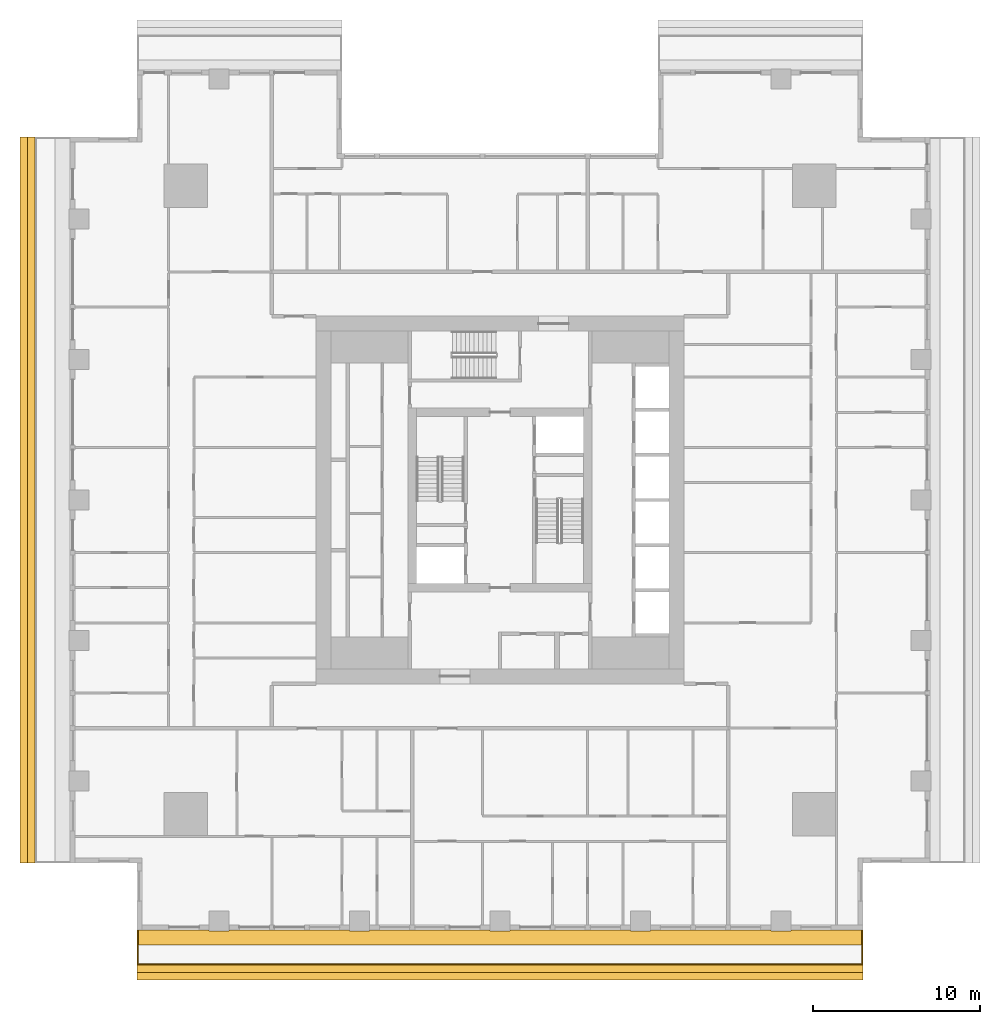
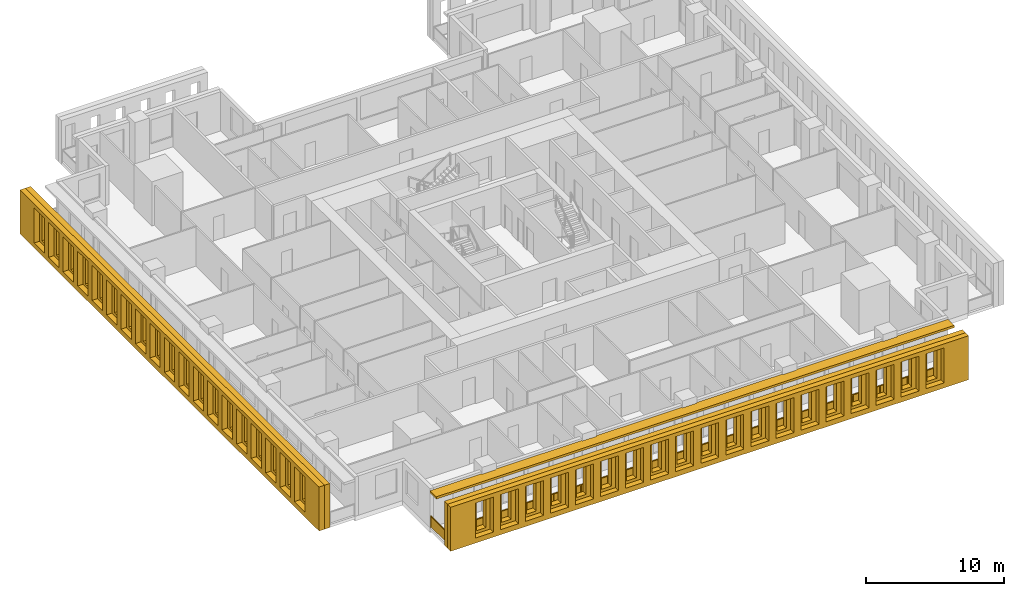
# One storey, part 10 of 15: 5 shading devices, 1 railing.
"""IFC4 building model written with IfcOpenShell, lengths in metres."""

from ifc_helpers import new_model, si_unit, direction, frame, origin, origin_2d, place, context, subcontext, project, spatial, polyline, rectangle, outline, extrude, material, layer, layer_set, type_object, element, save


model = new_model("IFC4")

# Units and contexts
model_context = context("Model", 3, precision=1e-05, world=origin(), true_north=direction((0.0, 1.0)))
body_context = subcontext(model_context, "Body", "Model", "MODEL_VIEW")
ifc_project = project(units=[si_unit("LENGTHUNIT", "METRE"), si_unit("AREAUNIT", "SQUARE_METRE"), si_unit("VOLUMEUNIT", "CUBIC_METRE"), si_unit("PLANEANGLEUNIT", "RADIAN"), si_unit("MASSUNIT", "GRAM", prefix="KILO")], contexts=[model_context])

# Site, building, storey
site_placement = place(None, origin())
site = spatial("IfcSite", under=ifc_project, at=site_placement, CompositionType="ELEMENT")
building_placement = place(site_placement, origin())
building = spatial("IfcBuilding", under=site, at=building_placement, Name="Khepri Terraces", CompositionType="ELEMENT")
storey_placement = place(building_placement, frame((0.0, 0.0, 161.10009765625)))
storey = spatial("IfcBuildingStorey", under=building, at=storey_placement, Name="L38", CompositionType="ELEMENT", Elevation=161.10009765625)

# Railing
ifc_material_1 = material(Name="Stainless steel grade 316", Category="steel")
railing_type = type_object("IfcRailingType", Name="GRD-BAL-1100", PredefinedType="GUARDRAIL", material=ifc_material_1)
railing_placement = place(storey_placement, frame((-21.669921875, -25.719970703125, 0.0)))
element("IfcRailing", 1, at=railing_placement, inside=storey, type_object=railing_type, Name="Balcony guard L38 S", PredefinedType="GUARDRAIL", context=body_context, shape_type="SweptSolid", body=[
    extrude(rectangle(XDim=0.050048828125, YDim=0.06005859375, at=origin_2d()), frame((0.0, 0.0, 1.070068359375), z_axis=(0.0, -1.0, 0.0), x_axis=(1.0, 0.0, 0.0)), (0.0, 0.0, 1.0), 2.050048828125),
    extrude(rectangle(XDim=2.0, YDim=0.011962890625, at=origin_2d()), frame((0.0, -1.02490234375, 0.10009765625), z_axis=(0.0, 0.0, 1.0), x_axis=(0.0, -1.0, 0.0)), (0.0, 0.0, 1.0), 0.93994140625),
    extrude(rectangle(XDim=0.050048828125, YDim=0.06005859375, at=origin_2d()), frame((0.0, -2.050048828125, 1.070068359375), z_axis=(1.0, 0.0, 0.0), x_axis=(0.0, 1.0, 0.0)), (0.0, 0.0, 1.0), 43.33984375),
    extrude(rectangle(XDim=2.23095703125, YDim=0.011962890625, at=origin_2d()), frame((1.140625, -2.050048828125, 0.10009765625), z_axis=(0.0, 0.0, 1.0), x_axis=(1.0, 0.0, 0.0)), (0.0, 0.0, 1.0), 0.93994140625),
    extrude(rectangle(XDim=2.23095703125, YDim=0.011962890625, at=origin_2d()), frame((3.421630859375, -2.050048828125, 0.10009765625), z_axis=(0.0, 0.0, 1.0), x_axis=(1.0, 0.0, 0.0)), (0.0, 0.0, 1.0), 0.93994140625),
    extrude(rectangle(XDim=2.23095703125, YDim=0.011962890625, at=origin_2d()), frame((5.70263671875, -2.050048828125, 0.10009765625), z_axis=(0.0, 0.0, 1.0), x_axis=(1.0, 0.0, 0.0)), (0.0, 0.0, 1.0), 0.93994140625),
    extrude(rectangle(XDim=2.23095703125, YDim=0.011962890625, at=origin_2d()), frame((7.983642578125, -2.050048828125, 0.10009765625), z_axis=(0.0, 0.0, 1.0), x_axis=(1.0, 0.0, 0.0)), (0.0, 0.0, 1.0), 0.93994140625),
    extrude(rectangle(XDim=2.23095703125, YDim=0.011962890625, at=origin_2d()), frame((10.2646484375, -2.050048828125, 0.10009765625), z_axis=(0.0, 0.0, 1.0), x_axis=(1.0, 0.0, 0.0)), (0.0, 0.0, 1.0), 0.93994140625),
    extrude(rectangle(XDim=2.23095703125, YDim=0.011962890625, at=origin_2d()), frame((12.545654296875, -2.050048828125, 0.10009765625), z_axis=(0.0, 0.0, 1.0), x_axis=(1.0, 0.0, 0.0)), (0.0, 0.0, 1.0), 0.93994140625),
    extrude(rectangle(XDim=2.23095703125, YDim=0.011962890625, at=origin_2d()), frame((14.826904296875, -2.050048828125, 0.10009765625), z_axis=(0.0, 0.0, 1.0), x_axis=(1.0, 0.0, 0.0)), (0.0, 0.0, 1.0), 0.93994140625),
    extrude(rectangle(XDim=2.23095703125, YDim=0.011962890625, at=origin_2d()), frame((17.10791015625, -2.050048828125, 0.10009765625), z_axis=(0.0, 0.0, 1.0), x_axis=(1.0, 0.0, 0.0)), (0.0, 0.0, 1.0), 0.93994140625),
    extrude(rectangle(XDim=2.23095703125, YDim=0.011962890625, at=origin_2d()), frame((19.388916015625, -2.050048828125, 0.10009765625), z_axis=(0.0, 0.0, 1.0), x_axis=(1.0, 0.0, 0.0)), (0.0, 0.0, 1.0), 0.93994140625),
    extrude(rectangle(XDim=2.23095703125, YDim=0.011962890625, at=origin_2d()), frame((21.669921875, -2.050048828125, 0.10009765625), z_axis=(0.0, 0.0, 1.0), x_axis=(1.0, 0.0, 0.0)), (0.0, 0.0, 1.0), 0.93994140625),
    extrude(rectangle(XDim=2.23095703125, YDim=0.011962890625, at=origin_2d()), frame((23.950927734375, -2.050048828125, 0.10009765625), z_axis=(0.0, 0.0, 1.0), x_axis=(1.0, 0.0, 0.0)), (0.0, 0.0, 1.0), 0.93994140625),
    extrude(rectangle(XDim=2.23095703125, YDim=0.011962890625, at=origin_2d()), frame((26.23193359375, -2.050048828125, 0.10009765625), z_axis=(0.0, 0.0, 1.0), x_axis=(1.0, 0.0, 0.0)), (0.0, 0.0, 1.0), 0.93994140625),
    extrude(rectangle(XDim=2.23095703125, YDim=0.011962890625, at=origin_2d()), frame((28.512939453125, -2.050048828125, 0.10009765625), z_axis=(0.0, 0.0, 1.0), x_axis=(1.0, 0.0, 0.0)), (0.0, 0.0, 1.0), 0.93994140625),
    extrude(rectangle(XDim=2.23095703125, YDim=0.011962890625, at=origin_2d()), frame((30.794189453125, -2.050048828125, 0.10009765625), z_axis=(0.0, 0.0, 1.0), x_axis=(1.0, 0.0, 0.0)), (0.0, 0.0, 1.0), 0.93994140625),
    extrude(rectangle(XDim=2.23095703125, YDim=0.011962890625, at=origin_2d()), frame((33.0751953125, -2.050048828125, 0.10009765625), z_axis=(0.0, 0.0, 1.0), x_axis=(1.0, 0.0, 0.0)), (0.0, 0.0, 1.0), 0.93994140625),
    extrude(rectangle(XDim=2.23095703125, YDim=0.011962890625, at=origin_2d()), frame((35.356201171875, -2.050048828125, 0.10009765625), z_axis=(0.0, 0.0, 1.0), x_axis=(1.0, 0.0, 0.0)), (0.0, 0.0, 1.0), 0.93994140625),
    extrude(rectangle(XDim=2.23095703125, YDim=0.011962890625, at=origin_2d()), frame((37.63720703125, -2.050048828125, 0.10009765625), z_axis=(0.0, 0.0, 1.0), x_axis=(1.0, 0.0, 0.0)), (0.0, 0.0, 1.0), 0.93994140625),
    extrude(rectangle(XDim=2.23095703125, YDim=0.011962890625, at=origin_2d()), frame((39.918212890625, -2.050048828125, 0.10009765625), z_axis=(0.0, 0.0, 1.0), x_axis=(1.0, 0.0, 0.0)), (0.0, 0.0, 1.0), 0.93994140625),
    extrude(rectangle(XDim=2.23095703125, YDim=0.011962890625, at=origin_2d()), frame((42.19921875, -2.050048828125, 0.10009765625), z_axis=(0.0, 0.0, 1.0), x_axis=(1.0, 0.0, 0.0)), (0.0, 0.0, 1.0), 0.93994140625),
    extrude(rectangle(XDim=0.050048828125, YDim=0.06005859375, at=origin_2d()), frame((43.33984375, -2.050048828125, 1.070068359375), z_axis=(0.0, 1.0, 0.0), x_axis=(-1.0, 0.0, 0.0)), (0.0, 0.0, 1.0), 2.050048828125),
    extrude(rectangle(XDim=2.0, YDim=0.011962890625, at=origin_2d()), frame((43.33984375, -1.02490234375, 0.10009765625), z_axis=(0.0, 0.0, 1.0), x_axis=(0.0, 1.0, 0.0)), (0.0, 0.0, 1.0), 0.93994140625),
    extrude(rectangle(XDim=0.050048828125, YDim=0.050048828125, at=origin_2d()), origin(), (0.0, 0.0, 1.0), 1.0400390625),
    extrude(rectangle(XDim=0.050048828125, YDim=0.050048828125, at=origin_2d()), frame((0.0, -2.050048828125, 0.0)), (0.0, 0.0, 1.0), 1.0400390625),
    extrude(rectangle(XDim=0.050048828125, YDim=0.050048828125, at=origin_2d()), frame((2.281005859375, -2.050048828125, 0.0)), (0.0, 0.0, 1.0), 1.0400390625),
    extrude(rectangle(XDim=0.050048828125, YDim=0.050048828125, at=origin_2d()), frame((4.56201171875, -2.050048828125, 0.0)), (0.0, 0.0, 1.0), 1.0400390625),
    extrude(rectangle(XDim=0.050048828125, YDim=0.050048828125, at=origin_2d()), frame((6.843017578125, -2.050048828125, 0.0)), (0.0, 0.0, 1.0), 1.0400390625),
    extrude(rectangle(XDim=0.050048828125, YDim=0.050048828125, at=origin_2d()), frame((9.124267578125, -2.050048828125, 0.0)), (0.0, 0.0, 1.0), 1.0400390625),
    extrude(rectangle(XDim=0.050048828125, YDim=0.050048828125, at=origin_2d()), frame((11.4052734375, -2.050048828125, 0.0)), (0.0, 0.0, 1.0), 1.0400390625),
    extrude(rectangle(XDim=0.050048828125, YDim=0.050048828125, at=origin_2d()), frame((13.686279296875, -2.050048828125, 0.0)), (0.0, 0.0, 1.0), 1.0400390625),
    extrude(rectangle(XDim=0.050048828125, YDim=0.050048828125, at=origin_2d()), frame((15.96728515625, -2.050048828125, 0.0)), (0.0, 0.0, 1.0), 1.0400390625),
    extrude(rectangle(XDim=0.050048828125, YDim=0.050048828125, at=origin_2d()), frame((18.248291015625, -2.050048828125, 0.0)), (0.0, 0.0, 1.0), 1.0400390625),
    extrude(rectangle(XDim=0.050048828125, YDim=0.050048828125, at=origin_2d()), frame((20.529296875, -2.050048828125, 0.0)), (0.0, 0.0, 1.0), 1.0400390625),
    extrude(rectangle(XDim=0.050048828125, YDim=0.050048828125, at=origin_2d()), frame((22.810546875, -2.050048828125, 0.0)), (0.0, 0.0, 1.0), 1.0400390625),
    extrude(rectangle(XDim=0.050048828125, YDim=0.050048828125, at=origin_2d()), frame((25.091552734375, -2.050048828125, 0.0)), (0.0, 0.0, 1.0), 1.0400390625),
    extrude(rectangle(XDim=0.050048828125, YDim=0.050048828125, at=origin_2d()), frame((27.37255859375, -2.050048828125, 0.0)), (0.0, 0.0, 1.0), 1.0400390625),
    extrude(rectangle(XDim=0.050048828125, YDim=0.050048828125, at=origin_2d()), frame((29.653564453125, -2.050048828125, 0.0)), (0.0, 0.0, 1.0), 1.0400390625),
    extrude(rectangle(XDim=0.050048828125, YDim=0.050048828125, at=origin_2d()), frame((31.9345703125, -2.050048828125, 0.0)), (0.0, 0.0, 1.0), 1.0400390625),
    extrude(rectangle(XDim=0.050048828125, YDim=0.050048828125, at=origin_2d()), frame((34.215576171875, -2.050048828125, 0.0)), (0.0, 0.0, 1.0), 1.0400390625),
    extrude(rectangle(XDim=0.050048828125, YDim=0.050048828125, at=origin_2d()), frame((36.496826171875, -2.050048828125, 0.0)), (0.0, 0.0, 1.0), 1.0400390625),
    extrude(rectangle(XDim=0.050048828125, YDim=0.050048828125, at=origin_2d()), frame((38.77783203125, -2.050048828125, 0.0)), (0.0, 0.0, 1.0), 1.0400390625),
    extrude(rectangle(XDim=0.050048828125, YDim=0.050048828125, at=origin_2d()), frame((41.058837890625, -2.050048828125, 0.0)), (0.0, 0.0, 1.0), 1.0400390625),
    extrude(rectangle(XDim=0.050048828125, YDim=0.050048828125, at=origin_2d()), frame((43.33984375, -2.050048828125, 0.0)), (0.0, 0.0, 1.0), 1.0400390625),
    extrude(rectangle(XDim=0.050048828125, YDim=0.050048828125, at=origin_2d()), frame((43.33984375, 0.0, 0.0)), (0.0, 0.0, 1.0), 1.0400390625),
])

# Shading devices
ifc_material_2 = material(Name="Precast concrete C50/60 warm stone", Category="masonry")
shading_device_type_1 = type_object("IfcShadingDeviceType", Name="SCR-CELL-INNER-450", PredefinedType="USERDEFINED", material=ifc_material_2)
shading_device_1_placement = place(storey_placement, frame((-21.719970703125, -27.820068359375, -0.25), z_axis=(0.0, -1.0, 0.0), x_axis=(1.0, 0.0, 0.0)))
element("IfcShadingDevice", 2, at=shading_device_1_placement, inside=storey, type_object=shading_device_type_1, Name="Cell screen L38 S in", ObjectType="SCREEN", PredefinedType="USERDEFINED", context=body_context, shape_type="SweptSolid", body=[
    extrude(outline(polyline([(0.0, 0.0), (43.43994140625, 0.0), (43.43994140625, 3.89990234375), (0.0, 3.89990234375), (0.0, 0.0)]), holes=[polyline([(0.318359375, 0.699951171875), (1.12158203125, 0.699951171875), (1.12158203125, 3.300048828125), (0.318359375, 3.300048828125), (0.318359375, 0.699951171875)]), polyline([(2.41845703125, 0.699951171875), (3.2216796875, 0.699951171875), (3.2216796875, 3.300048828125), (2.41845703125, 3.300048828125), (2.41845703125, 0.699951171875)]), polyline([(4.518310546875, 0.699951171875), (5.321533203125, 0.699951171875), (5.321533203125, 3.300048828125), (4.518310546875, 3.300048828125), (4.518310546875, 0.699951171875)]), polyline([(6.618408203125, 0.699951171875), (7.421630859375, 0.699951171875), (7.421630859375, 3.300048828125), (6.618408203125, 3.300048828125), (6.618408203125, 0.699951171875)]), polyline([(8.718505859375, 0.699951171875), (9.521484375, 0.699951171875), (9.521484375, 3.300048828125), (8.718505859375, 3.300048828125), (8.718505859375, 0.699951171875)]), polyline([(10.818359375, 0.699951171875), (11.62158203125, 0.699951171875), (11.62158203125, 3.300048828125), (10.818359375, 3.300048828125), (10.818359375, 0.699951171875)]), polyline([(12.91845703125, 0.699951171875), (13.7216796875, 0.699951171875), (13.7216796875, 3.300048828125), (12.91845703125, 3.300048828125), (12.91845703125, 0.699951171875)]), polyline([(15.018310546875, 0.699951171875), (15.821533203125, 0.699951171875), (15.821533203125, 3.300048828125), (15.018310546875, 3.300048828125), (15.018310546875, 0.699951171875)]), polyline([(17.118408203125, 0.699951171875), (17.921630859375, 0.699951171875), (17.921630859375, 3.300048828125), (17.118408203125, 3.300048828125), (17.118408203125, 0.699951171875)]), polyline([(19.218505859375, 0.699951171875), (20.021484375, 0.699951171875), (20.021484375, 3.300048828125), (19.218505859375, 3.300048828125), (19.218505859375, 0.699951171875)]), polyline([(21.318359375, 0.699951171875), (22.12158203125, 0.699951171875), (22.12158203125, 3.300048828125), (21.318359375, 3.300048828125), (21.318359375, 0.699951171875)]), polyline([(23.41845703125, 0.699951171875), (24.2216796875, 0.699951171875), (24.2216796875, 3.300048828125), (23.41845703125, 3.300048828125), (23.41845703125, 0.699951171875)]), polyline([(25.518310546875, 0.699951171875), (26.321533203125, 0.699951171875), (26.321533203125, 3.300048828125), (25.518310546875, 3.300048828125), (25.518310546875, 0.699951171875)]), polyline([(27.618408203125, 0.699951171875), (28.421630859375, 0.699951171875), (28.421630859375, 3.300048828125), (27.618408203125, 3.300048828125), (27.618408203125, 0.699951171875)]), polyline([(29.718505859375, 0.699951171875), (30.521484375, 0.699951171875), (30.521484375, 3.300048828125), (29.718505859375, 3.300048828125), (29.718505859375, 0.699951171875)]), polyline([(31.818359375, 0.699951171875), (32.62158203125, 0.699951171875), (32.62158203125, 3.300048828125), (31.818359375, 3.300048828125), (31.818359375, 0.699951171875)]), polyline([(33.91845703125, 0.699951171875), (34.7216796875, 0.699951171875), (34.7216796875, 3.300048828125), (33.91845703125, 3.300048828125), (33.91845703125, 0.699951171875)]), polyline([(36.018310546875, 0.699951171875), (36.821533203125, 0.699951171875), (36.821533203125, 3.300048828125), (36.018310546875, 3.300048828125), (36.018310546875, 0.699951171875)]), polyline([(38.118408203125, 0.699951171875), (38.921630859375, 0.699951171875), (38.921630859375, 3.300048828125), (38.118408203125, 3.300048828125), (38.118408203125, 0.699951171875)]), polyline([(40.218505859375, 0.699951171875), (41.021484375, 0.699951171875), (41.021484375, 3.300048828125), (40.218505859375, 3.300048828125), (40.218505859375, 0.699951171875)]), polyline([(42.318359375, 0.699951171875), (43.12158203125, 0.699951171875), (43.12158203125, 3.300048828125), (42.318359375, 3.300048828125), (42.318359375, 0.699951171875)])]), origin(), (0.0, 0.0, 1.0), 0.449951171875),
])
shading_device_2_placement = place(storey_placement, frame((-27.820068359375, 21.719970703125, -0.25), z_axis=(-1.0, 0.0, 0.0), x_axis=(0.0, -1.0, 0.0)))
element("IfcShadingDevice", 3, at=shading_device_2_placement, inside=storey, type_object=shading_device_type_1, Name="Cell screen L38 W in", ObjectType="SCREEN", PredefinedType="USERDEFINED", context=body_context, shape_type="SweptSolid", body=[
    extrude(outline(polyline([(0.0, 0.0), (43.43994140625, 0.0), (43.43994140625, 3.89990234375), (0.0, 3.89990234375), (0.0, 0.0)]), holes=[polyline([(0.318359375, 0.699951171875), (1.12158203125, 0.699951171875), (1.12158203125, 3.300048828125), (0.318359375, 3.300048828125), (0.318359375, 0.699951171875)]), polyline([(2.41845703125, 0.699951171875), (3.2216796875, 0.699951171875), (3.2216796875, 3.300048828125), (2.41845703125, 3.300048828125), (2.41845703125, 0.699951171875)]), polyline([(4.518310546875, 0.699951171875), (5.321533203125, 0.699951171875), (5.321533203125, 3.300048828125), (4.518310546875, 3.300048828125), (4.518310546875, 0.699951171875)]), polyline([(6.618408203125, 0.699951171875), (7.421630859375, 0.699951171875), (7.421630859375, 3.300048828125), (6.618408203125, 3.300048828125), (6.618408203125, 0.699951171875)]), polyline([(8.718505859375, 0.699951171875), (9.521484375, 0.699951171875), (9.521484375, 3.300048828125), (8.718505859375, 3.300048828125), (8.718505859375, 0.699951171875)]), polyline([(10.818359375, 0.699951171875), (11.62158203125, 0.699951171875), (11.62158203125, 3.300048828125), (10.818359375, 3.300048828125), (10.818359375, 0.699951171875)]), polyline([(12.91845703125, 0.699951171875), (13.7216796875, 0.699951171875), (13.7216796875, 3.300048828125), (12.91845703125, 3.300048828125), (12.91845703125, 0.699951171875)]), polyline([(15.018310546875, 0.699951171875), (15.821533203125, 0.699951171875), (15.821533203125, 3.300048828125), (15.018310546875, 3.300048828125), (15.018310546875, 0.699951171875)]), polyline([(17.118408203125, 0.699951171875), (17.921630859375, 0.699951171875), (17.921630859375, 3.300048828125), (17.118408203125, 3.300048828125), (17.118408203125, 0.699951171875)]), polyline([(19.218505859375, 0.699951171875), (20.021484375, 0.699951171875), (20.021484375, 3.300048828125), (19.218505859375, 3.300048828125), (19.218505859375, 0.699951171875)]), polyline([(21.318359375, 0.699951171875), (22.12158203125, 0.699951171875), (22.12158203125, 3.300048828125), (21.318359375, 3.300048828125), (21.318359375, 0.699951171875)]), polyline([(23.41845703125, 0.699951171875), (24.2216796875, 0.699951171875), (24.2216796875, 3.300048828125), (23.41845703125, 3.300048828125), (23.41845703125, 0.699951171875)]), polyline([(25.518310546875, 0.699951171875), (26.321533203125, 0.699951171875), (26.321533203125, 3.300048828125), (25.518310546875, 3.300048828125), (25.518310546875, 0.699951171875)]), polyline([(27.618408203125, 0.699951171875), (28.421630859375, 0.699951171875), (28.421630859375, 3.300048828125), (27.618408203125, 3.300048828125), (27.618408203125, 0.699951171875)]), polyline([(29.718505859375, 0.699951171875), (30.521484375, 0.699951171875), (30.521484375, 3.300048828125), (29.718505859375, 3.300048828125), (29.718505859375, 0.699951171875)]), polyline([(31.818359375, 0.699951171875), (32.62158203125, 0.699951171875), (32.62158203125, 3.300048828125), (31.818359375, 3.300048828125), (31.818359375, 0.699951171875)]), polyline([(33.91845703125, 0.699951171875), (34.7216796875, 0.699951171875), (34.7216796875, 3.300048828125), (33.91845703125, 3.300048828125), (33.91845703125, 0.699951171875)]), polyline([(36.018310546875, 0.699951171875), (36.821533203125, 0.699951171875), (36.821533203125, 3.300048828125), (36.018310546875, 3.300048828125), (36.018310546875, 0.699951171875)]), polyline([(38.118408203125, 0.699951171875), (38.921630859375, 0.699951171875), (38.921630859375, 3.300048828125), (38.118408203125, 3.300048828125), (38.118408203125, 0.699951171875)]), polyline([(40.218505859375, 0.699951171875), (41.021484375, 0.699951171875), (41.021484375, 3.300048828125), (40.218505859375, 3.300048828125), (40.218505859375, 0.699951171875)]), polyline([(42.318359375, 0.699951171875), (43.12158203125, 0.699951171875), (43.12158203125, 3.300048828125), (42.318359375, 3.300048828125), (42.318359375, 0.699951171875)])]), origin(), (0.0, 0.0, 1.0), 0.449951171875),
])
shading_device_type_2 = type_object("IfcShadingDeviceType", Name="SCR-CELL-OUTER-450", PredefinedType="USERDEFINED", material=ifc_material_2)
shading_device_3_placement = place(storey_placement, frame((-21.719970703125, -28.27001953125, -0.25), z_axis=(0.0, -1.0, 0.0), x_axis=(1.0, 0.0, 0.0)))
element("IfcShadingDevice", 4, at=shading_device_3_placement, inside=storey, type_object=shading_device_type_2, Name="Cell screen L38 S out", ObjectType="SCREEN", PredefinedType="USERDEFINED", context=body_context, shape_type="SweptSolid", body=[
    extrude(outline(polyline([(0.0, 0.0), (43.43994140625, 0.0), (43.43994140625, 3.89990234375), (0.0, 3.89990234375), (0.0, 0.0)]), holes=[polyline([(2.068359375, 0.449951171875), (3.571533203125, 0.449951171875), (3.571533203125, 3.550048828125), (2.068359375, 3.550048828125), (2.068359375, 0.449951171875)]), polyline([(4.16845703125, 0.449951171875), (5.671630859375, 0.449951171875), (5.671630859375, 3.550048828125), (4.16845703125, 3.550048828125), (4.16845703125, 0.449951171875)]), polyline([(6.268310546875, 0.449951171875), (7.771484375, 0.449951171875), (7.771484375, 3.550048828125), (6.268310546875, 3.550048828125), (6.268310546875, 0.449951171875)]), polyline([(8.368408203125, 0.449951171875), (9.87158203125, 0.449951171875), (9.87158203125, 3.550048828125), (8.368408203125, 3.550048828125), (8.368408203125, 0.449951171875)]), polyline([(10.468505859375, 0.449951171875), (11.9716796875, 0.449951171875), (11.9716796875, 3.550048828125), (10.468505859375, 3.550048828125), (10.468505859375, 0.449951171875)]), polyline([(12.568359375, 0.449951171875), (14.071533203125, 0.449951171875), (14.071533203125, 3.550048828125), (12.568359375, 3.550048828125), (12.568359375, 0.449951171875)]), polyline([(14.66845703125, 0.449951171875), (16.171630859375, 0.449951171875), (16.171630859375, 3.550048828125), (14.66845703125, 3.550048828125), (14.66845703125, 0.449951171875)]), polyline([(16.768310546875, 0.449951171875), (18.271484375, 0.449951171875), (18.271484375, 3.550048828125), (16.768310546875, 3.550048828125), (16.768310546875, 0.449951171875)]), polyline([(18.868408203125, 0.449951171875), (20.37158203125, 0.449951171875), (20.37158203125, 3.550048828125), (18.868408203125, 3.550048828125), (18.868408203125, 0.449951171875)]), polyline([(20.968505859375, 0.449951171875), (22.4716796875, 0.449951171875), (22.4716796875, 3.550048828125), (20.968505859375, 3.550048828125), (20.968505859375, 0.449951171875)]), polyline([(23.068359375, 0.449951171875), (24.571533203125, 0.449951171875), (24.571533203125, 3.550048828125), (23.068359375, 3.550048828125), (23.068359375, 0.449951171875)]), polyline([(25.16845703125, 0.449951171875), (26.671630859375, 0.449951171875), (26.671630859375, 3.550048828125), (25.16845703125, 3.550048828125), (25.16845703125, 0.449951171875)]), polyline([(27.268310546875, 0.449951171875), (28.771484375, 0.449951171875), (28.771484375, 3.550048828125), (27.268310546875, 3.550048828125), (27.268310546875, 0.449951171875)]), polyline([(29.368408203125, 0.449951171875), (30.87158203125, 0.449951171875), (30.87158203125, 3.550048828125), (29.368408203125, 3.550048828125), (29.368408203125, 0.449951171875)]), polyline([(31.468505859375, 0.449951171875), (32.9716796875, 0.449951171875), (32.9716796875, 3.550048828125), (31.468505859375, 3.550048828125), (31.468505859375, 0.449951171875)]), polyline([(33.568359375, 0.449951171875), (35.071533203125, 0.449951171875), (35.071533203125, 3.550048828125), (33.568359375, 3.550048828125), (33.568359375, 0.449951171875)]), polyline([(35.66845703125, 0.449951171875), (37.171630859375, 0.449951171875), (37.171630859375, 3.550048828125), (35.66845703125, 3.550048828125), (35.66845703125, 0.449951171875)]), polyline([(37.768310546875, 0.449951171875), (39.271484375, 0.449951171875), (39.271484375, 3.550048828125), (37.768310546875, 3.550048828125), (37.768310546875, 0.449951171875)]), polyline([(39.868408203125, 0.449951171875), (41.37158203125, 0.449951171875), (41.37158203125, 3.550048828125), (39.868408203125, 3.550048828125), (39.868408203125, 0.449951171875)])]), origin(), (0.0, 0.0, 1.0), 0.449951171875),
])
shading_device_4_placement = place(storey_placement, frame((-28.27001953125, 21.719970703125, -0.25), z_axis=(-1.0, 0.0, 0.0), x_axis=(0.0, -1.0, 0.0)))
element("IfcShadingDevice", 5, at=shading_device_4_placement, inside=storey, type_object=shading_device_type_2, Name="Cell screen L38 W out", ObjectType="SCREEN", PredefinedType="USERDEFINED", context=body_context, shape_type="SweptSolid", body=[
    extrude(outline(polyline([(0.0, 0.0), (43.43994140625, 0.0), (43.43994140625, 3.89990234375), (0.0, 3.89990234375), (0.0, 0.0)]), holes=[polyline([(2.068359375, 0.449951171875), (3.571533203125, 0.449951171875), (3.571533203125, 3.550048828125), (2.068359375, 3.550048828125), (2.068359375, 0.449951171875)]), polyline([(4.16845703125, 0.449951171875), (5.671630859375, 0.449951171875), (5.671630859375, 3.550048828125), (4.16845703125, 3.550048828125), (4.16845703125, 0.449951171875)]), polyline([(6.268310546875, 0.449951171875), (7.771484375, 0.449951171875), (7.771484375, 3.550048828125), (6.268310546875, 3.550048828125), (6.268310546875, 0.449951171875)]), polyline([(8.368408203125, 0.449951171875), (9.87158203125, 0.449951171875), (9.87158203125, 3.550048828125), (8.368408203125, 3.550048828125), (8.368408203125, 0.449951171875)]), polyline([(10.468505859375, 0.449951171875), (11.9716796875, 0.449951171875), (11.9716796875, 3.550048828125), (10.468505859375, 3.550048828125), (10.468505859375, 0.449951171875)]), polyline([(12.568359375, 0.449951171875), (14.071533203125, 0.449951171875), (14.071533203125, 3.550048828125), (12.568359375, 3.550048828125), (12.568359375, 0.449951171875)]), polyline([(14.66845703125, 0.449951171875), (16.171630859375, 0.449951171875), (16.171630859375, 3.550048828125), (14.66845703125, 3.550048828125), (14.66845703125, 0.449951171875)]), polyline([(16.768310546875, 0.449951171875), (18.271484375, 0.449951171875), (18.271484375, 3.550048828125), (16.768310546875, 3.550048828125), (16.768310546875, 0.449951171875)]), polyline([(18.868408203125, 0.449951171875), (20.37158203125, 0.449951171875), (20.37158203125, 3.550048828125), (18.868408203125, 3.550048828125), (18.868408203125, 0.449951171875)]), polyline([(20.968505859375, 0.449951171875), (22.4716796875, 0.449951171875), (22.4716796875, 3.550048828125), (20.968505859375, 3.550048828125), (20.968505859375, 0.449951171875)]), polyline([(23.068359375, 0.449951171875), (24.571533203125, 0.449951171875), (24.571533203125, 3.550048828125), (23.068359375, 3.550048828125), (23.068359375, 0.449951171875)]), polyline([(25.16845703125, 0.449951171875), (26.671630859375, 0.449951171875), (26.671630859375, 3.550048828125), (25.16845703125, 3.550048828125), (25.16845703125, 0.449951171875)]), polyline([(27.268310546875, 0.449951171875), (28.771484375, 0.449951171875), (28.771484375, 3.550048828125), (27.268310546875, 3.550048828125), (27.268310546875, 0.449951171875)]), polyline([(29.368408203125, 0.449951171875), (30.87158203125, 0.449951171875), (30.87158203125, 3.550048828125), (29.368408203125, 3.550048828125), (29.368408203125, 0.449951171875)]), polyline([(31.468505859375, 0.449951171875), (32.9716796875, 0.449951171875), (32.9716796875, 3.550048828125), (31.468505859375, 3.550048828125), (31.468505859375, 0.449951171875)]), polyline([(33.568359375, 0.449951171875), (35.071533203125, 0.449951171875), (35.071533203125, 3.550048828125), (33.568359375, 3.550048828125), (33.568359375, 0.449951171875)]), polyline([(35.66845703125, 0.449951171875), (37.171630859375, 0.449951171875), (37.171630859375, 3.550048828125), (35.66845703125, 3.550048828125), (35.66845703125, 0.449951171875)]), polyline([(37.768310546875, 0.449951171875), (39.271484375, 0.449951171875), (39.271484375, 3.550048828125), (37.768310546875, 3.550048828125), (37.768310546875, 0.449951171875)]), polyline([(39.868408203125, 0.449951171875), (41.37158203125, 0.449951171875), (41.37158203125, 3.550048828125), (39.868408203125, 3.550048828125), (39.868408203125, 0.449951171875)])]), origin(), (0.0, 0.0, 1.0), 0.449951171875),
])
ifc_layer = layer(ifc_material_2, 0.199951171875, Name="Precast concrete C50/60 warm stone", Category="masonry")
ifc_layer_set = layer_set([ifc_layer], Name="Precast concrete C50/60 warm stone")
shading_device_type_3 = type_object("IfcShadingDeviceType", Name="SSH-BAND-STONE-200", PredefinedType="USERDEFINED", material=ifc_layer_set)
shading_device_5_placement = place(storey_placement, frame((0.0, 0.0, 3.099853515625)))
element("IfcShadingDevice", 6, at=shading_device_5_placement, inside=storey, type_object=shading_device_type_3, Name="Sunshade band L38 S", ObjectType="SUNSHADE", PredefinedType="USERDEFINED", context=body_context, shape_type="SweptSolid", body=[
    extrude(outline(polyline([(-17.39990234375, -25.719970703125), (-21.719970703125, -25.719970703125), (-21.719970703125, -26.6201171875), (21.719970703125, -26.6201171875), (21.719970703125, -25.719970703125), (17.39990234375, -25.719970703125), (17.39990234375, -25.800048828125), (16.199951171875, -25.800048828125), (16.199951171875, -25.719970703125), (9.0, -25.719970703125), (9.0, -25.800048828125), (7.800048828125, -25.800048828125), (7.800048828125, -25.719970703125), (0.60009765625, -25.719970703125), (0.60009765625, -25.800048828125), (-0.60009765625, -25.800048828125), (-0.60009765625, -25.719970703125), (-7.800048828125, -25.719970703125), (-7.800048828125, -25.800048828125), (-9.0, -25.800048828125), (-9.0, -25.719970703125), (-16.199951171875, -25.719970703125), (-16.199951171875, -25.800048828125), (-17.39990234375, -25.800048828125), (-17.39990234375, -25.719970703125)])), origin(), (0.0, 0.0, 1.0), 0.199951171875),
])

save(model, "model.ifc")
